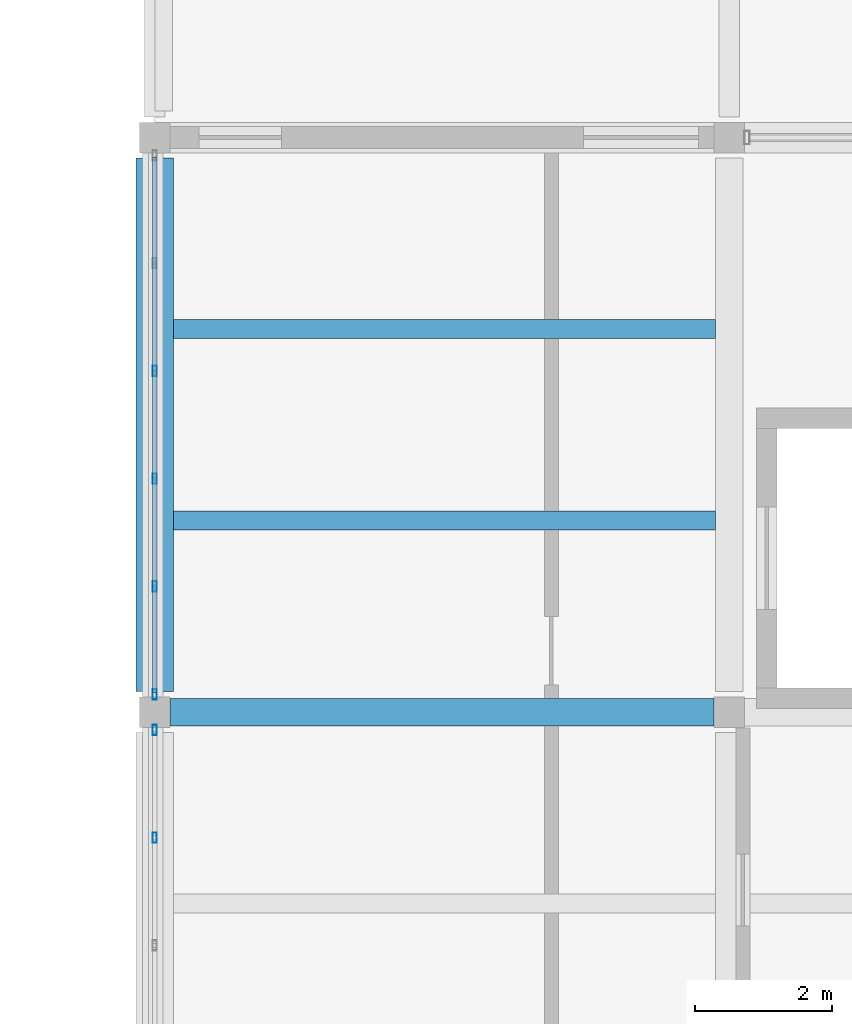
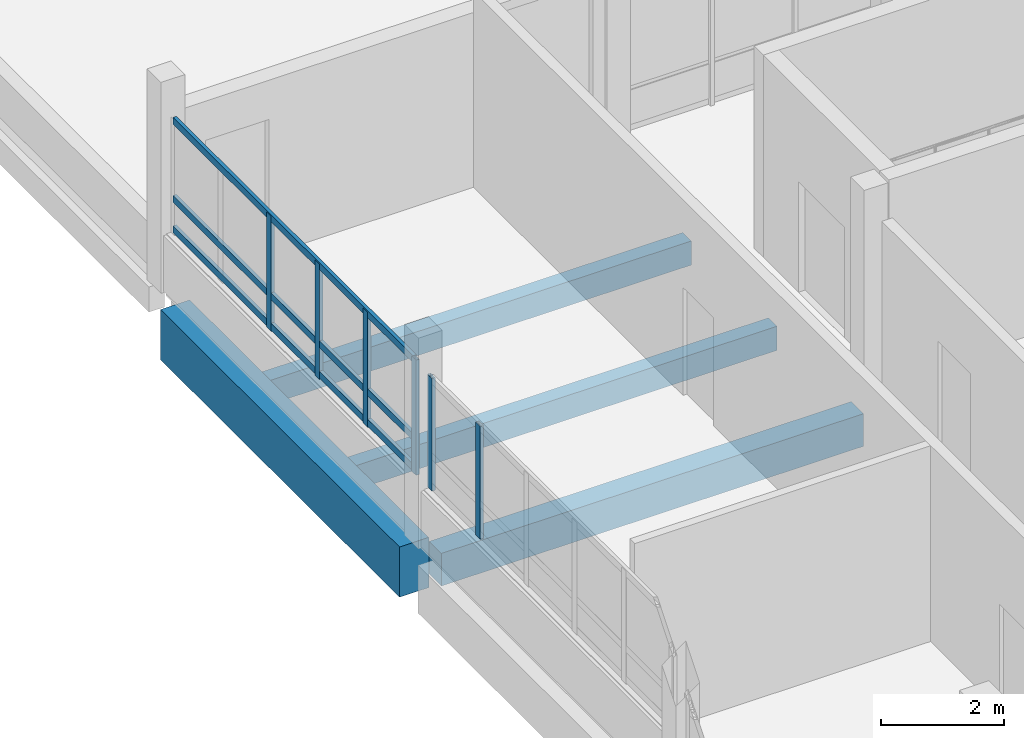
# One storey, part 24 of 62: 9 members, 4 beams, 2 elements without a shape of their own.
"""IFC4 building model written with IfcOpenShell, lengths in metres."""

from ifc_helpers import new_model, si_unit, direction, frame, origin, origin_2d, place, context, subcontext, project, spatial, rectangle, hollow_rectangle, extrude, material, layer, layer_set, material_profile, profile_set, type_object, element, aggregate, save


model = new_model("IFC4")

# Units and contexts
model_context = context("Model", 3, precision=1e-05, world=origin(), true_north=direction((0.0, 1.0)))
body_context = subcontext(model_context, "Body", "Model", "MODEL_VIEW")
ifc_project = project(units=[si_unit("LENGTHUNIT", "METRE"), si_unit("AREAUNIT", "SQUARE_METRE"), si_unit("VOLUMEUNIT", "CUBIC_METRE"), si_unit("PLANEANGLEUNIT", "RADIAN"), si_unit("MASSUNIT", "GRAM", prefix="KILO")], contexts=[model_context])

# Site, building, storey
site_placement = place(None, origin())
site = spatial("IfcSite", under=ifc_project, at=site_placement, CompositionType="ELEMENT")
building_placement = place(site_placement, origin())
building = spatial("IfcBuilding", under=site, at=building_placement, Name="Vireocrest Preparatory School", CompositionType="ELEMENT")
storey_placement = place(building_placement, frame((0.0, 0.0, 17.39990234375)))
storey = spatial("IfcBuildingStorey", under=building, at=storey_placement, Name="L04", CompositionType="ELEMENT", Elevation=17.39990234375)

# Curtain wall, members
ifc_material_1 = material(Name="Thermally broken aluminium EN AW-6063-T6", Category="aluminium")
ifc_layer = layer(ifc_material_1, 0.179931640625)
ifc_layer_set = layer_set([ifc_layer], Name="Thermally broken aluminium EN AW-6063-T6")
curtain_wall_type = type_object("IfcCurtainWallType", Name="Court Banded Curtain Wall 8400x3000", PredefinedType="USERDEFINED", material=ifc_layer_set)
curtain_wall_1_placement = place(storey_placement, origin())
curtain_wall_1 = element("IfcCurtainWall", 1, at=curtain_wall_1_placement, inside=storey, type_object=curtain_wall_type, Name="Curtain Wall CW02 CW_L04_CW02_0924_0692_186", ObjectType="CURTAIN WALL", PredefinedType="USERDEFINED")
ifc_material_profile_1 = material_profile(ifc_material_1, hollow_rectangle(XDim=0.06494140625, YDim=0.14990234375, WallThickness=0.00390625, at=origin_2d()), Name="ALU 65x150x4")
ifc_profile_set_1 = profile_set([ifc_material_profile_1], Name="Thermally broken aluminium EN AW-6063-T6")
member_type_1 = type_object("IfcMemberType", Name="CW Mullion 65x150x4", PredefinedType="MULLION", material=ifc_profile_set_1)
member_1_placement = place(storey_placement, frame((92.39990234375, 75.56396484375, 1.150146484375), z_axis=(0.0, 0.0, 1.0), x_axis=(1.0, 0.0, 0.0)))
member_1 = element("IfcMember", 2, at=member_1_placement, type_object=member_type_1, Name="CW Mullion ML1 CW_L04_CW02_0924_0692_186-5", PredefinedType="MULLION", context=body_context, shape_type="SweptSolid", body=[
    extrude(hollow_rectangle(XDim=0.06494140625, YDim=0.14990234375, WallThickness=0.00390625, at=origin_2d()), origin(), (0.0, 0.0, 1.0), 2.244873046875),
])
member_2_placement = place(storey_placement, frame((92.39990234375, 77.139892578125, 1.150146484375), z_axis=(0.0, 0.0, 1.0), x_axis=(1.0, 0.0, 0.0)))
member_2 = element("IfcMember", 3, at=member_2_placement, type_object=member_type_1, Name="CW Mullion ML1 CW_L04_CW02_0924_0692_186-6", PredefinedType="MULLION", context=body_context, shape_type="SweptSolid", body=[
    extrude(hollow_rectangle(XDim=0.06494140625, YDim=0.14990234375, WallThickness=0.00390625, at=origin_2d()), origin(), (0.0, 0.0, 1.0), 2.244873046875),
])
aggregate(curtain_wall_1, [member_1, member_2])

curtain_wall_2_placement = place(storey_placement, origin())
curtain_wall_2 = element("IfcCurtainWall", 4, at=curtain_wall_2_placement, inside=storey, type_object=curtain_wall_type, Name="Curtain Wall CW02 CW_L04_CW02_0924_0776_186", ObjectType="CURTAIN WALL", PredefinedType="USERDEFINED")
member_3_placement = place(storey_placement, frame((92.39990234375, 77.659912109375, 1.150146484375), z_axis=(0.0, 0.0, 1.0), x_axis=(1.0, 0.0, 0.0)))
member_3 = element("IfcMember", 5, at=member_3_placement, type_object=member_type_1, Name="CW Mullion ML1 CW_L04_CW02_0924_0776_186-1", PredefinedType="MULLION", context=body_context, shape_type="SweptSolid", body=[
    extrude(hollow_rectangle(XDim=0.06494140625, YDim=0.14990234375, WallThickness=0.00390625, at=origin_2d()), origin(), (0.0, 0.0, 1.0), 2.294921875),
])
member_4_placement = place(storey_placement, frame((92.39990234375, 79.236083984375, 1.150146484375), z_axis=(0.0, 0.0, 1.0), x_axis=(1.0, 0.0, 0.0)))
member_4 = element("IfcMember", 6, at=member_4_placement, type_object=member_type_1, Name="CW Mullion ML1 CW_L04_CW02_0924_0776_186-2", PredefinedType="MULLION", context=body_context, shape_type="SweptSolid", body=[
    extrude(hollow_rectangle(XDim=0.06494140625, YDim=0.14990234375, WallThickness=0.00390625, at=origin_2d()), origin(), (0.0, 0.0, 1.0), 2.294921875),
])
member_5_placement = place(storey_placement, frame((92.39990234375, 80.81201171875, 1.150146484375), z_axis=(0.0, 0.0, 1.0), x_axis=(1.0, 0.0, 0.0)))
member_5 = element("IfcMember", 7, at=member_5_placement, type_object=member_type_1, Name="CW Mullion ML1 CW_L04_CW02_0924_0776_186-3", PredefinedType="MULLION", context=body_context, shape_type="SweptSolid", body=[
    extrude(hollow_rectangle(XDim=0.06494140625, YDim=0.14990234375, WallThickness=0.00390625, at=origin_2d()), origin(), (0.0, 0.0, 1.0), 2.294921875),
])
member_6_placement = place(storey_placement, frame((92.39990234375, 82.387939453125, 1.150146484375), z_axis=(0.0, 0.0, 1.0), x_axis=(1.0, 0.0, 0.0)))
member_6 = element("IfcMember", 8, at=member_6_placement, type_object=member_type_1, Name="CW Mullion ML1 CW_L04_CW02_0924_0776_186-4", PredefinedType="MULLION", context=body_context, shape_type="SweptSolid", body=[
    extrude(hollow_rectangle(XDim=0.06494140625, YDim=0.14990234375, WallThickness=0.00390625, at=origin_2d()), origin(), (0.0, 0.0, 1.0), 2.294921875),
])
ifc_material_profile_2 = material_profile(ifc_material_1, hollow_rectangle(XDim=0.06494140625, YDim=0.139892578125, WallThickness=0.00390625, at=origin_2d()), Name="ALU 65x140x4")
ifc_profile_set_2 = profile_set([ifc_material_profile_2], Name="Thermally broken aluminium EN AW-6063-T6")
member_type_2 = type_object("IfcMemberType", Name="CW Transom 65x140x4", PredefinedType="USERDEFINED", material=ifc_profile_set_2)
member_7_placement = place(storey_placement, frame((92.39990234375, 77.68505859375, 1.2451171875), z_axis=(0.0, 1.0, 0.0), x_axis=(-1.0, 0.0, 0.0)))
member_7 = element("IfcMember", 9, at=member_7_placement, type_object=member_type_2, Name="CW Transom TR1 CW_L04_CW02_0924_0776_186-1", ObjectType="TRANSOM", PredefinedType="USERDEFINED", context=body_context, shape_type="SweptSolid", body=[
    extrude(hollow_rectangle(XDim=0.06494140625, YDim=0.139892578125, WallThickness=0.00390625, at=origin_2d()), origin(), (0.0, 0.0, 1.0), 7.829833984375),
])
member_8_placement = place(storey_placement, frame((92.39990234375, 77.68505859375, 1.85009765625), z_axis=(0.0, 1.0, 0.0), x_axis=(-1.0, 0.0, 0.0)))
member_8 = element("IfcMember", 10, at=member_8_placement, type_object=member_type_2, Name="CW Transom TR1 CW_L04_CW02_0924_0776_186-2", ObjectType="TRANSOM", PredefinedType="USERDEFINED", context=body_context, shape_type="SweptSolid", body=[
    extrude(hollow_rectangle(XDim=0.06494140625, YDim=0.139892578125, WallThickness=0.00390625, at=origin_2d()), origin(), (0.0, 0.0, 1.0), 7.829833984375),
])
member_9_placement = place(storey_placement, frame((92.39990234375, 77.68505859375, 3.405029296875), z_axis=(0.0, 1.0, 0.0), x_axis=(-1.0, 0.0, 0.0)))
member_9 = element("IfcMember", 11, at=member_9_placement, type_object=member_type_2, Name="CW Transom TR1 CW_L04_CW02_0924_0776_186-3", ObjectType="TRANSOM", PredefinedType="USERDEFINED", context=body_context, shape_type="SweptSolid", body=[
    extrude(hollow_rectangle(XDim=0.06494140625, YDim=0.139892578125, WallThickness=0.00390625, at=origin_2d()), origin(), (0.0, 0.0, 1.0), 7.829833984375),
])
aggregate(curtain_wall_2, [member_3, member_4, member_5, member_6, member_7, member_8, member_9])

# Beams
ifc_material_2 = material(Name="Concrete 40 MPa", Category="concrete")
ifc_material_profile_3 = material_profile(ifc_material_2, rectangle(XDim=0.550048828125, YDim=1.0, at=origin_2d()), Name="RC 550x1000")
ifc_profile_set_3 = profile_set([ifc_material_profile_3], Name="Concrete 40 MPa")
beam_type_1 = type_object("IfcBeamType", Name="RC Core Coupling Beam 550x1000", PredefinedType="BEAM", material=ifc_profile_set_3)
beam_1_placement = place(storey_placement, frame((92.39990234375, 77.699951171875, -0.760009765625), z_axis=(0.0, 1.0, 0.0), x_axis=(-1.0, 0.0, 0.0)))
element("IfcBeam", 12, at=beam_1_placement, inside=storey, type_object=beam_type_1, Name="Primary Girder B18 L04-1397", PredefinedType="BEAM", context=body_context, shape_type="SweptSolid", body=[
    extrude(rectangle(XDim=0.550048828125, YDim=1.0, at=origin_2d()), origin(), (0.0, 0.0, 1.0), 7.800048828125),
])
ifc_material_profile_4 = material_profile(ifc_material_2, rectangle(XDim=0.39990234375, YDim=0.64990234375, at=origin_2d()), Name="RC 400x650")
ifc_profile_set_4 = profile_set([ifc_material_profile_4], Name="Concrete 40 MPa")
beam_type_2 = type_object("IfcBeamType", Name="RC Laboratory Girder 400x650", PredefinedType="BEAM", material=ifc_profile_set_4)
beam_2_placement = place(storey_placement, frame((92.625, 77.39990234375, -0.5849609375), z_axis=(1.0, 0.0, 0.0), x_axis=(0.0, 1.0, 0.0)))
element("IfcBeam", 13, at=beam_2_placement, inside=storey, type_object=beam_type_2, Name="Primary Girder B07 L04-1319", PredefinedType="BEAM", context=body_context, shape_type="SweptSolid", body=[
    extrude(rectangle(XDim=0.39990234375, YDim=0.64990234375, at=origin_2d()), origin(), (0.0, 0.0, 1.0), 7.949951171875),
])
ifc_material_profile_5 = material_profile(ifc_material_2, rectangle(XDim=0.280029296875, YDim=0.47998046875, at=origin_2d()), Name="RC 280x480")
ifc_profile_set_5 = profile_set([ifc_material_profile_5], Name="Concrete 40 MPa")
beam_type_3 = type_object("IfcBeamType", Name="RC Secondary Lab Joist 280x480", PredefinedType="JOIST", material=ifc_profile_set_5)
for number, where, z_axis, x_axis, name in (
    (14, (92.675048828125, 80.199951171875, -0.5), (1.0, 0.0, 0.0), (0.0, 1.0, 0.0), "Secondary Joist J02 L04-1491"),
    (15, (92.675048828125, 83.0, -0.5), (1.0, 0.0, 0.0), (0.0, 1.0, 0.0), "Secondary Joist J02 L04-1492"),
):
    element("IfcBeam", number, at=place(storey_placement, frame(where, z_axis=z_axis, x_axis=x_axis)), inside=storey, type_object=beam_type_3, Name=name, PredefinedType="JOIST", context=body_context, shape_type="SweptSolid", body=[
        extrude(rectangle(XDim=0.280029296875, YDim=0.47998046875, at=origin_2d()), origin(), (0.0, 0.0, 1.0), 7.925048828125),
    ])

save(model, "model.ifc")
